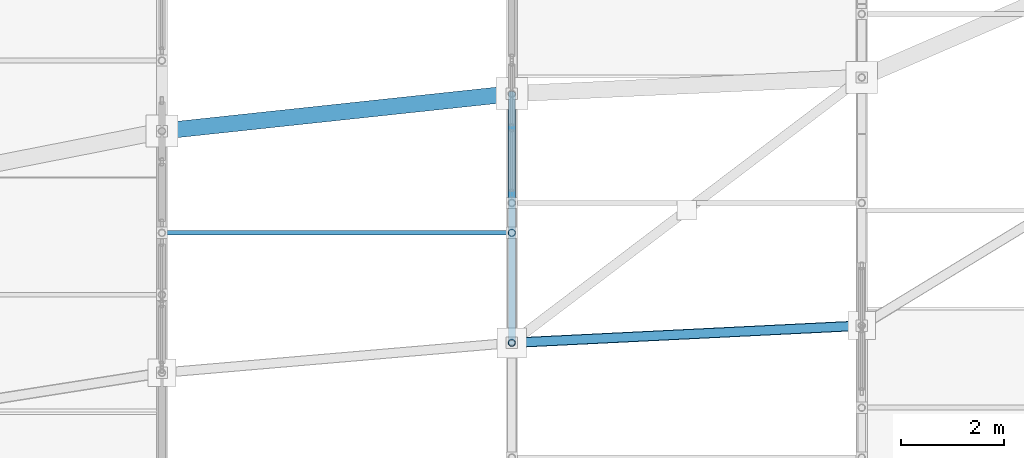
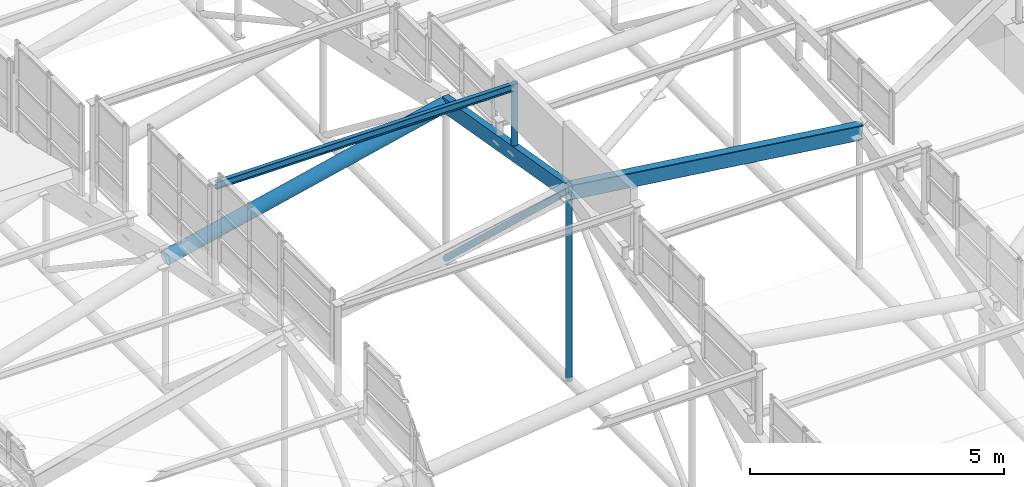
# One storey, part 89 of 188: 7 members.
"""IFC4 building model written with IfcOpenShell, lengths in metres."""

import ifcopenshell
import ifcopenshell.guid

model = None  # the IFC model being written
_history = None  # IfcOwnerHistory: only IFC2X3 demands one
_inside = {}  # id of a spatial element -> (the spatial element, [elements in it])
_under = {}  # id of a project, library or spatial element -> (it, [spatial elements below it])
_declared = {}  # id of a project -> (the project, [libraries it declares])
_typed = {}  # id of a type object -> (the type object, [elements of that type])
_made_of = {}  # id of a material, layer set ... -> (it, [elements and type objects made of it])


def new_model(schema):
    """Start an empty IFC model of exactly this schema.

    Asked for "IFC4X3", IfcOpenShell would pick the latest addendum, in which some entities
    have other attributes; the version numbers below select the first issue.
    IFC2X3 requires an IfcOwnerHistory on every rooted entity: one is made here for all.
    """
    global model, _history
    if schema == "IFC4X3":
        model = ifcopenshell.file(schema_version=(4, 3, 0, 0))
    else:
        model = ifcopenshell.file(schema=schema)
    _inside.clear()
    _under.clear()
    _declared.clear()
    _typed.clear()
    _made_of.clear()
    _history = None
    if model.schema == "IFC2X3":
        org = make("IfcOrganization", Name="unknown")
        user = make(
            "IfcPersonAndOrganization",
            ThePerson=make("IfcPerson", FamilyName="unknown"),
            TheOrganization=org,
        )
        app = make(
            "IfcApplication",
            ApplicationDeveloper=org,
            Version="unknown",
            ApplicationFullName="unknown",
            ApplicationIdentifier="unknown",
        )
        _history = make(
            "IfcOwnerHistory",
            OwningUser=user,
            OwningApplication=app,
            ChangeAction="ADDED",
            CreationDate=0,
        )
    return model


def make(cls, **values):
    """One entity of the class cls with the attributes given. An attribute that is None is left unset."""
    return model.create_entity(
        cls, **{name: value for name, value in values.items() if value is not None}
    )


def rooted(cls, **values):
    """An entity with a GlobalId (a new one), such as an element, a storey or a relation."""
    return make(cls, GlobalId=ifcopenshell.guid.new(), OwnerHistory=_history, **values)


def si_unit(unit_type, name, prefix=None):
    """IfcSIUnit, for example si_unit("LENGTHUNIT", "METRE", prefix="MILLI")."""
    return make("IfcSIUnit", UnitType=unit_type, Prefix=prefix, Name=name)


def assignment(units):
    """IfcUnitAssignment: the units of a project."""
    return None if units is None else make("IfcUnitAssignment", Units=units)


def point(xyz):
    """IfcCartesianPoint."""
    return None if xyz is None else make("IfcCartesianPoint", Coordinates=xyz)


def direction(xyz):
    """IfcDirection."""
    return None if xyz is None else make("IfcDirection", DirectionRatios=xyz)


def frame(location, z_axis=None, x_axis=None):
    """IfcAxis2Placement3D, a coordinate frame: its origin and axes. An axis left out is left unset."""
    return make(
        "IfcAxis2Placement3D",
        Location=point(location),
        Axis=direction(z_axis),
        RefDirection=direction(x_axis),
    )


def frame_2d(location, x_axis=None):
    """IfcAxis2Placement2D, a coordinate frame in the plane: its origin and x axis."""
    return make(
        "IfcAxis2Placement2D", Location=point(location), RefDirection=direction(x_axis)
    )


def origin():
    """The frame at (0, 0, 0) with its axes left unset."""
    return frame((0.0, 0.0, 0.0))


def origin_2d():
    """The frame at (0, 0) in the plane with its x axis left unset."""
    return frame_2d((0.0, 0.0))


def place(relative_to, where):
    """IfcLocalPlacement: puts the frame where relative to a parent placement (None: the world)."""
    return make(
        "IfcLocalPlacement", PlacementRelTo=relative_to, RelativePlacement=where
    )


def context(
    kind, dimensions, precision=None, world=None, true_north=None, identifier=None
):
    """IfcGeometricRepresentationContext, for example the 3D "Model" context."""
    return make(
        "IfcGeometricRepresentationContext",
        ContextIdentifier=identifier,
        ContextType=kind,
        CoordinateSpaceDimension=dimensions,
        Precision=precision,
        WorldCoordinateSystem=world,
        TrueNorth=true_north,
    )


def subcontext(parent, identifier, kind, view, scale=None):
    """IfcGeometricRepresentationSubContext, for example "Body" below "Model"."""
    return make(
        "IfcGeometricRepresentationSubContext",
        ContextIdentifier=identifier,
        ContextType=kind,
        ParentContext=parent,
        TargetScale=scale,
        TargetView=view,
    )


def project(units=None, contexts=None):
    """IfcProject with its units and contexts."""
    return rooted(
        "IfcProject",
        Name="project",
        RepresentationContexts=contexts,
        UnitsInContext=assignment(units),
    )


def spatial(cls, under=None, at=None, **own):
    """A site, building, storey or space (cls), placed at a placement, below another one or the project."""
    s = rooted(cls, ObjectPlacement=at, **own)
    if under is not None:
        _under.setdefault(under.id(), (under, []))[1].append(s)
    return s


def profile(cls, at=None, kind="AREA", **sizes):
    """A parametric profile (cls). Its sizes go by their IFC names, for example OverallWidth=200.0."""
    return make(cls, ProfileType=kind, Position=at, **sizes)


def rectangle(**sizes):
    """IfcRectangleProfileDef."""
    return profile("IfcRectangleProfileDef", **sizes)


def hollow_rectangle(**sizes):
    """IfcRectangleHollowProfileDef."""
    return profile("IfcRectangleHollowProfileDef", **sizes)


def hollow_circle(**sizes):
    """IfcCircleHollowProfileDef."""
    return profile("IfcCircleHollowProfileDef", **sizes)


def i_section(**sizes):
    """IfcIShapeProfileDef."""
    return profile("IfcIShapeProfileDef", **sizes)


def extrude(swept, where, along, depth):
    """IfcExtrudedAreaSolid: the profile swept, set in the frame where, extruded along a direction by depth."""
    return make(
        "IfcExtrudedAreaSolid",
        SweptArea=swept,
        Position=where,
        ExtrudedDirection=direction(along),
        Depth=depth,
    )


def shape(context_of_items, identifier, shape_type, items):
    """IfcShapeRepresentation: the items that make up one representation, for example the "Body"."""
    return make(
        "IfcShapeRepresentation",
        ContextOfItems=context_of_items,
        RepresentationIdentifier=identifier,
        RepresentationType=shape_type,
        Items=items,
    )


def material(Name=None, Category=None):
    """IfcMaterial."""
    return make("IfcMaterial", Name=Name, Category=Category)


def material_profile(
    of_material, cross_section, Name=None, Category=None, Priority=None
):
    """IfcMaterialProfile: a cross section and its material."""
    return make(
        "IfcMaterialProfile",
        Name=Name,
        Material=of_material,
        Profile=cross_section,
        Priority=Priority,
        Category=Category,
    )


def profile_set(profiles, Name=None, composite=None):
    """IfcMaterialProfileSet."""
    return make(
        "IfcMaterialProfileSet",
        Name=Name,
        MaterialProfiles=profiles,
        CompositeProfile=composite,
    )


def made_of(thing, what):
    """Note that an element or type object is made of a material, layer set ...; save() writes the relation."""
    if what is not None:
        _made_of.setdefault(what.id(), (what, []))[1].append(thing)
    return thing


def type_object(cls, material=None, **own):
    """A type object (cls), such as IfcWallType, which elements share."""
    return made_of(rooted(cls, **own), material)


def element(
    cls,
    number,
    at=None,
    inside=None,
    cuts=None,
    type_object=None,
    material=None,
    context=None,
    identifier="Body",
    shape_type=None,
    held_by="IfcProductDefinitionShape",
    body=None,
    shapes=None,
    **own,
):
    """One element of the class cls, such as IfcWall. Its Tag is "e" and its number.

    at: its placement. inside: the storey or other place that contains it. cuts: it is an
    opening in that element (IfcRelVoidsElement). A single representation is given by context,
    identifier, shape_type and body (its items); several are given by shapes. held_by: the class
    of the entity that holds the representations. save() writes the other relations.
    """
    e = rooted(cls, Tag="e%d" % number, ObjectPlacement=at, **own)
    if body is not None:
        shapes = [shape(context, identifier, shape_type, body)]
    if shapes is not None:
        e.Representation = make(held_by, Representations=shapes)
    if inside is not None:
        _inside.setdefault(inside.id(), (inside, []))[1].append(e)
    if cuts is not None:
        rooted(
            "IfcRelVoidsElement", RelatingBuildingElement=cuts, RelatedOpeningElement=e
        )
    if type_object is not None:
        _typed.setdefault(type_object.id(), (type_object, []))[1].append(e)
    return made_of(e, material)


def aggregate(whole, parts):
    """IfcRelAggregates: a whole, such as a stair, and the parts it consists of."""
    return rooted("IfcRelAggregates", RelatingObject=whole, RelatedObjects=parts)


def save(model, path):
    """Write the relations noted so far, then the file.

    IfcRelAggregates (storeys below a building ...), IfcRelContainedInSpatialStructure (elements
    in a storey), IfcRelDefinesByType, IfcRelAssociatesMaterial and IfcRelDeclares: one each for
    every whole, place, type object, material and project.
    """
    for whole, parts in _under.values():
        aggregate(whole, parts)
    for where, things in _inside.values():
        rooted(
            "IfcRelContainedInSpatialStructure",
            RelatedElements=things,
            RelatingStructure=where,
        )
    for kind, things in _typed.values():
        rooted("IfcRelDefinesByType", RelatedObjects=things, RelatingType=kind)
    for what, things in _made_of.values():
        rooted("IfcRelAssociatesMaterial", RelatedObjects=things, RelatingMaterial=what)
    for by, libraries in _declared.values():
        rooted("IfcRelDeclares", RelatingContext=by, RelatedDefinitions=libraries)
    model.write(path)


model = new_model("IFC4")

# Units and contexts
model_context = context("Model", 3, precision=1e-05, world=origin(), true_north=direction((0.0, 1.0)))
body_context = subcontext(model_context, "Body", "Model", "MODEL_VIEW")
ifc_project = project(units=[si_unit("LENGTHUNIT", "METRE"), si_unit("AREAUNIT", "SQUARE_METRE"), si_unit("VOLUMEUNIT", "CUBIC_METRE"), si_unit("PLANEANGLEUNIT", "RADIAN"), si_unit("MASSUNIT", "GRAM", prefix="KILO")], contexts=[model_context])

# Site, building, storey
site_placement = place(None, origin())
site = spatial("IfcSite", under=ifc_project, at=site_placement, CompositionType="ELEMENT")
building_placement = place(site_placement, origin())
building = spatial("IfcBuilding", under=site, at=building_placement, Name="Kisaragi Civic Commons", CompositionType="ELEMENT")
storey_placement = place(building_placement, frame((0.0, 0.0, 9.60009765625)))
storey = spatial("IfcBuildingStorey", under=building, at=storey_placement, Name="L02", CompositionType="ELEMENT", Elevation=9.60009765625)

# Members
ifc_material_1 = material(Name="Steel SN490 (SN490B)", Category="steel")
ifc_material_profile_1 = material_profile(ifc_material_1, hollow_circle(Radius=0.1591796875, WallThickness=0.01025390625, at=origin_2d()), Name="CHS-318.5x10.3", Category="steel")
ifc_profile_set_1 = profile_set([ifc_material_profile_1], Name="Steel SN490 (SN490B)")
member_type_1 = type_object("IfcMemberType", Name="GC-03", PredefinedType="CHORD", material=ifc_profile_set_1)
member_1_placement = place(storey_placement, frame((13.60009765625, 102.681396484375, 2.439697265625), z_axis=(0.9860513707, 0.10546628728, 0.128761627001), x_axis=(-0.106351603367, 0.994328585761, 0.0)))
element("IfcMember", 1, at=member_1_placement, inside=storey, type_object=member_type_1, Name="V2 wave gridshell chord GC-03 19", PredefinedType="CHORD", context=body_context, shape_type="SweptSolid", body=[
    extrude(hollow_circle(Radius=0.1591796875, WallThickness=0.01025390625, at=origin_2d()), origin(), (0.0, 0.0, 1.0), 6.89599609375),
])
ifc_material_profile_2 = material_profile(ifc_material_1, hollow_rectangle(XDim=0.199951171875, YDim=0.35009765625, WallThickness=0.009033203125, InnerFilletRadius=0.009033203125, OuterFilletRadius=0.01806640625, at=origin_2d()), Name="STKR-350x200x9", Category="steel")
ifc_profile_set_2 = profile_set([ifc_material_profile_2], Name="Steel SN490 (SN490B)")
member_type_2 = type_object("IfcMemberType", Name="GC-04", PredefinedType="CHORD", material=ifc_profile_set_2)
member_2_placement = place(storey_placement, frame((20.39990234375, 98.56689453125, 4.173583984375), z_axis=(0.984987160096, 0.048483732327, -0.165679274945), x_axis=(-0.049163182832, 0.998790759596, 0.0)))
element("IfcMember", 2, at=member_2_placement, inside=storey, type_object=member_type_2, Name="V2 wave gridshell chord GC-04 25", PredefinedType="CHORD", context=body_context, shape_type="SweptSolid", body=[
    extrude(hollow_rectangle(XDim=0.199951171875, YDim=0.35009765625, WallThickness=0.009033203125, InnerFilletRadius=0.009033203125, OuterFilletRadius=0.01806640625, at=origin_2d()), origin(), (0.0, 0.0, 1.0), 6.90380859375),
])
ifc_material_2 = material(Name="Glulam E120-F330", Category="wood")
ifc_material_profile_3 = material_profile(ifc_material_2, rectangle(XDim=0.14990234375, YDim=0.360107421875, at=origin_2d()), Name="GL-150x360", Category="wood")
ifc_profile_set_3 = profile_set([ifc_material_profile_3], Name="Glulam E120-F330")
member_type_3 = type_object("IfcMemberType", Name="GR-06", PredefinedType="RAFTER", material=ifc_profile_set_3)
member_3_placement = place(storey_placement, frame((20.39990234375, 98.56689453125, 4.173583984375), z_axis=(0.0, 0.985077661422, -0.172110432474), x_axis=(-1.0, 0.0, 0.0)))
element("IfcMember", 3, at=member_3_placement, inside=storey, type_object=member_type_3, Name="V2 glulam arch rib GR-06 29", PredefinedType="RAFTER", context=body_context, shape_type="SweptSolid", body=[
    extrude(rectangle(XDim=0.14990234375, YDim=0.360107421875, at=origin_2d()), origin(), (0.0, 0.0, 1.0), 4.9150390625),
])
ifc_material_3 = material(Name="Steel SN400 (SN400B)", Category="steel")
ifc_material_profile_4 = material_profile(ifc_material_3, i_section(OverallWidth=0.090087890625, OverallDepth=0.175048828125, WebThickness=0.0048828125, FlangeThickness=0.008056640625, FilletRadius=0.008056640625, at=origin_2d()), Name="H-175x90x5x8", Category="steel")
ifc_profile_set_4 = profile_set([ifc_material_profile_4], Name="Steel SN400 (SN400B)")
member_type_4 = type_object("IfcMemberType", Name="PR-03", PredefinedType="PURLIN", material=ifc_profile_set_4)
member_4_placement = place(storey_placement, frame((13.60009765625, 100.70458984375, 5.388916015625), z_axis=(1.0, 0.0, 0.0), x_axis=(0.0, 1.0, 0.0)))
element("IfcMember", 4, at=member_4_placement, inside=storey, type_object=member_type_4, Name="V2 wave vault steel purlin 21", PredefinedType="PURLIN", context=body_context, shape_type="SweptSolid", body=[
    extrude(i_section(OverallWidth=0.090087890625, OverallDepth=0.175048828125, WebThickness=0.0048828125, FlangeThickness=0.008056640625, FilletRadius=0.008056640625, at=origin_2d()), origin(), (0.0, 0.0, 1.0), 6.7998046875),
])
ifc_material_profile_5 = material_profile(ifc_material_1, hollow_circle(Radius=0.06982421875, WallThickness=0.006103515625, at=origin_2d()), Name="CHS-139.8x6.0", Category="steel")
ifc_profile_set_5 = profile_set([ifc_material_profile_5], Name="Steel SN490 (SN490B)")
member_type_5 = type_object("IfcMemberType", Name="ST-H1", PredefinedType="STRUT", material=ifc_profile_set_5)
member_5_placement = place(storey_placement, frame((20.39990234375, 98.56689453125, -0.385009765625), z_axis=(0.0, 0.0, 1.0), x_axis=(1.0, 0.0, 0.0)))
element("IfcMember", 5, at=member_5_placement, inside=storey, type_object=member_type_5, Name="V2 arch tie hanger strut 48", PredefinedType="STRUT", context=body_context, shape_type="SweptSolid", body=[
    extrude(hollow_circle(Radius=0.06982421875, WallThickness=0.006103515625, at=origin_2d()), origin(), (0.0, 0.0, 1.0), 4.55859375),
])
member_6_placement = place(storey_placement, frame((20.39990234375, 103.40869140625, -0.385009765625), z_axis=(0.0, -0.728079268506, 0.685492945822), x_axis=(1.0, 0.0, 0.0)))
element("IfcMember", 6, at=member_6_placement, inside=storey, type_object=member_type_5, Name="V2 tied arch truss diagonal web strut 55", PredefinedType="STRUT", context=body_context, shape_type="SweptSolid", body=[
    extrude(hollow_circle(Radius=0.06982421875, WallThickness=0.006103515625, at=origin_2d()), origin(), (0.0, 0.0, 1.0), 6.650146484375),
])
member_7_placement = place(storey_placement, frame((20.39990234375, 100.70458984375, 3.80029296875), z_axis=(0.0, 0.0, 1.0), x_axis=(1.0, 0.0, 0.0)))
element("IfcMember", 7, at=member_7_placement, inside=storey, type_object=member_type_5, Name="V2 clerestory monitor horizontal tie strut 3.3.5", PredefinedType="STRUT", context=body_context, shape_type="SweptSolid", body=[
    extrude(hollow_circle(Radius=0.06982421875, WallThickness=0.006103515625, at=origin_2d()), origin(), (0.0, 0.0, 1.0), 1.676025390625),
])

save(model, "model.ifc")
